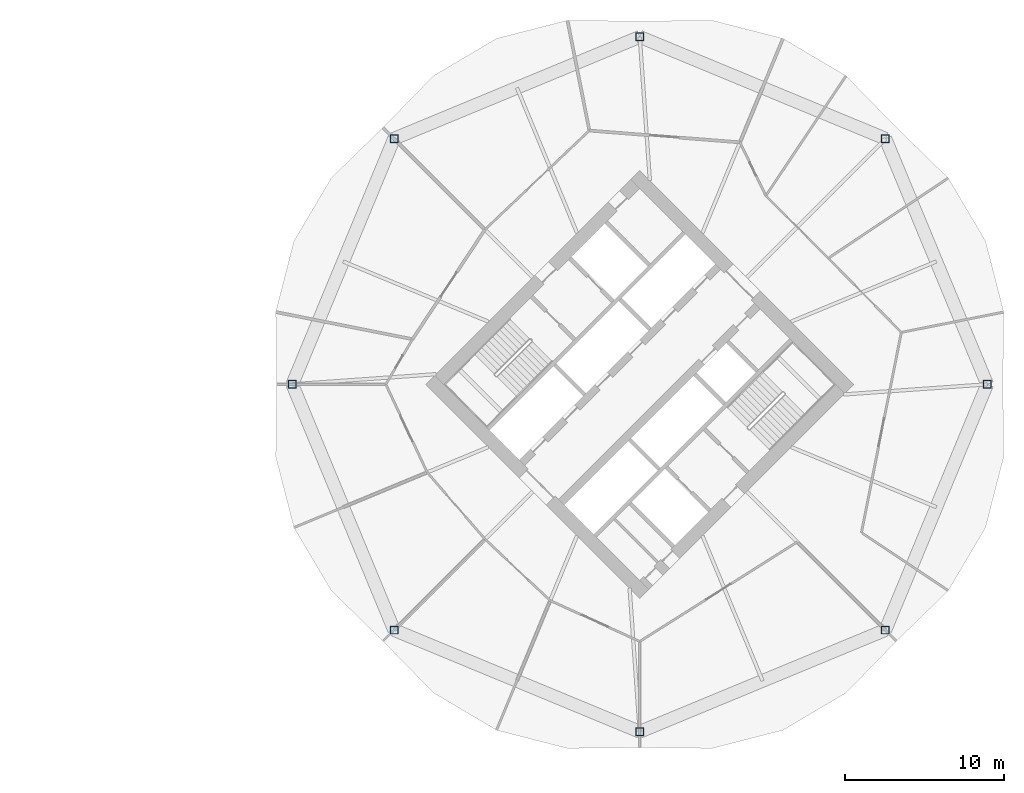
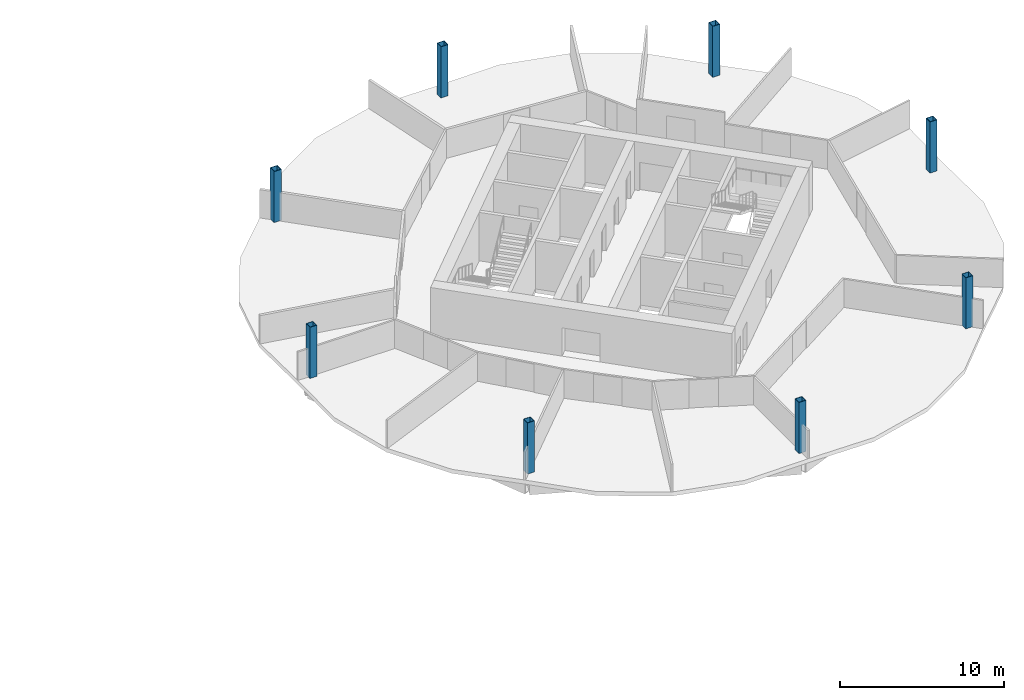
# One storey, part 2 of 9: 8 columns.
"""IFC4 building model written with IfcOpenShell, lengths in metres."""

from ifc_helpers import new_model, si_unit, direction, frame, origin, origin_2d, place, context, subcontext, project, spatial, hollow_rectangle, extrude, material, material_profile, profile_set, type_object, element, save


model = new_model("IFC4")

# Units and contexts
model_context = context("Model", 3, precision=1e-05, world=origin(), true_north=direction((0.0, 1.0)))
body_context = subcontext(model_context, "Body", "Model", "MODEL_VIEW")
ifc_project = project(units=[si_unit("LENGTHUNIT", "METRE"), si_unit("AREAUNIT", "SQUARE_METRE"), si_unit("VOLUMEUNIT", "CUBIC_METRE"), si_unit("PLANEANGLEUNIT", "RADIAN"), si_unit("MASSUNIT", "GRAM", prefix="KILO")], contexts=[model_context])

# Site, building, storey
site_placement = place(None, origin())
site = spatial("IfcSite", under=ifc_project, at=site_placement, CompositionType="ELEMENT")
building_placement = place(site_placement, origin())
building = spatial("IfcBuilding", under=site, at=building_placement, Name="Ogive Gate Towers", CompositionType="ELEMENT")
storey_placement = place(building_placement, frame((0.0, 0.0, 48.0)))
storey = spatial("IfcBuildingStorey", under=building, at=storey_placement, Name="L10", CompositionType="ELEMENT", Elevation=48.0)

# Columns
ifc_material = material(Name="Steel SM460", Category="steel")
ifc_material_profile = material_profile(ifc_material, hollow_rectangle(XDim=0.5, YDim=0.5, WallThickness=0.030029296875, at=origin_2d()), Name="BX 500x500x30")
ifc_profile_set = profile_set([ifc_material_profile], Name="Steel SM460")
column_type = type_object("IfcColumnType", Name="Perimeter post BX 500x500x30", PredefinedType="COLUMN", material=ifc_profile_set)
for number, where, z_axis, x_axis, name in (
    (1, (57.81005859375, 0.0, 0.0), (0.0, 0.0, 1.0), (1.0, 0.0, 0.0), "T2/L10/SCL001"),
    (2, (51.422119140625, 15.422119140625, 0.0), (0.0, 0.0, 1.0), (1.0, 0.0, 0.0), "T2/L10/SCL002"),
    (3, (36.0, 21.81005859375, 0.0), (0.0, 0.0, 1.0), (1.0, 0.0, 0.0), "T2/L10/SCL003"),
    (4, (20.577880859375, 15.422119140625, 0.0), (0.0, 0.0, 1.0), (1.0, 0.0, 0.0), "T2/L10/SCL004"),
    (5, (14.18994140625, 0.0, 0.0), (0.0, 0.0, 1.0), (1.0, 0.0, 0.0), "T2/L10/SCL005"),
    (6, (20.577880859375, -15.422119140625, 0.0), (0.0, 0.0, 1.0), (1.0, 0.0, 0.0), "T2/L10/SCL006"),
    (7, (36.0, -21.81005859375, 0.0), (0.0, 0.0, 1.0), (1.0, 0.0, 0.0), "T2/L10/SCL007"),
    (8, (51.422119140625, -15.422119140625, 0.0), (0.0, 0.0, 1.0), (1.0, 0.0, 0.0), "T2/L10/SCL008"),
):
    element("IfcColumn", number, at=place(storey_placement, frame(where, z_axis=z_axis, x_axis=x_axis)), inside=storey, type_object=column_type, Name=name, PredefinedType="COLUMN", context=body_context, shape_type="SweptSolid", body=[
        extrude(hollow_rectangle(XDim=0.5, YDim=0.5, WallThickness=0.030029296875, at=origin_2d()), origin(), (0.0, 0.0, 1.0), 3.800048828125),
    ])

save(model, "model.ifc")
